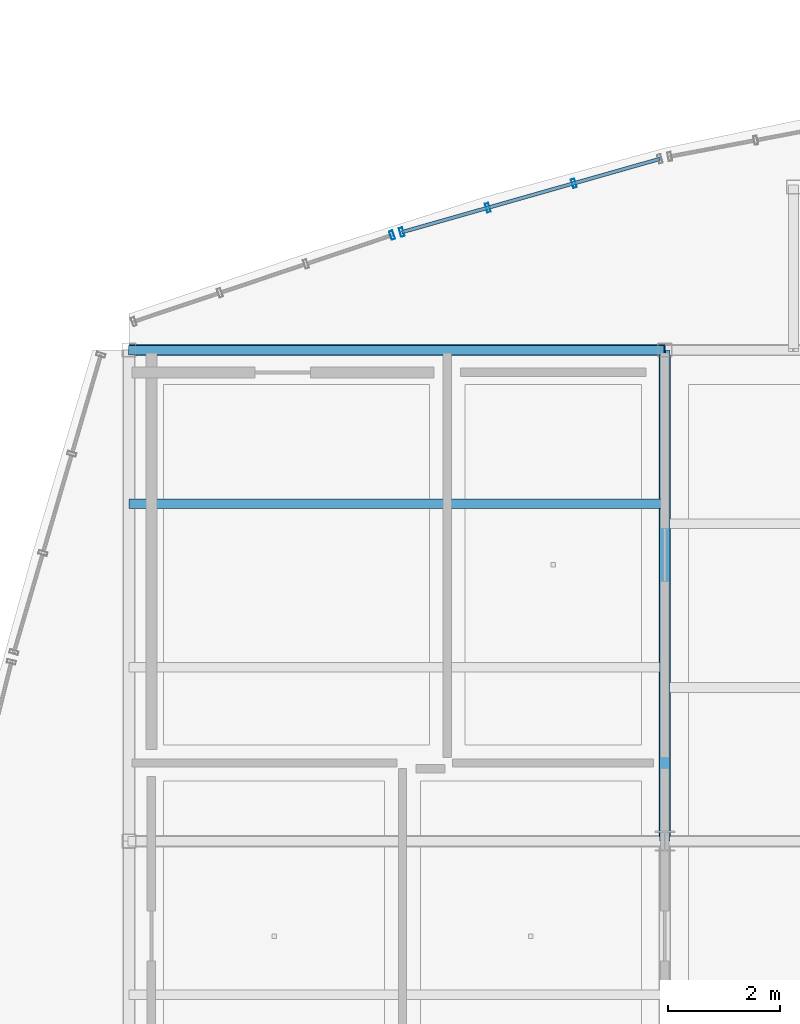
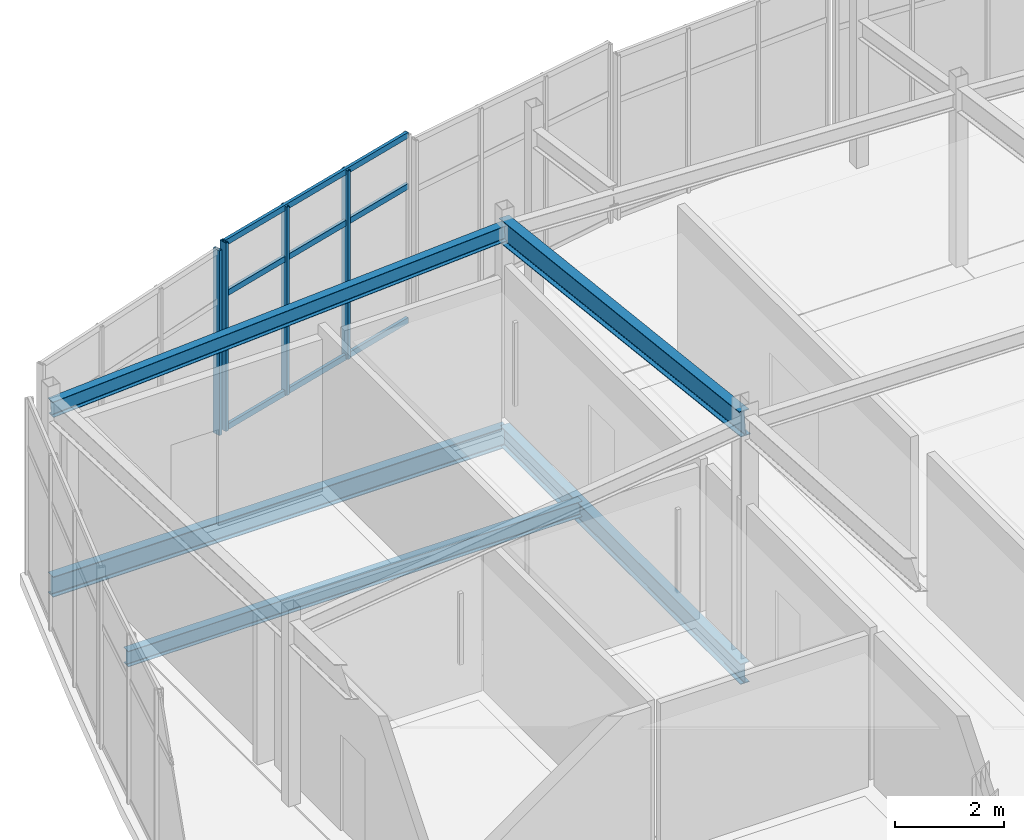
# One storey, part 30 of 114: 8 members, 4 beams, 2 elements without a shape of their own.
"""IFC4 building model written with IfcOpenShell, lengths in metres."""

from ifc_helpers import new_model, si_unit, direction, frame, origin, origin_2d, place, context, subcontext, project, spatial, hollow_rectangle, i_section, extrude, material, layer, layer_set, material_profile, profile_set, type_object, element, aggregate, save


model = new_model("IFC4")

# Units and contexts
model_context = context("Model", 3, precision=1e-05, world=origin(), true_north=direction((0.0, 1.0)))
body_context = subcontext(model_context, "Body", "Model", "MODEL_VIEW")
ifc_project = project(units=[si_unit("LENGTHUNIT", "METRE"), si_unit("AREAUNIT", "SQUARE_METRE"), si_unit("VOLUMEUNIT", "CUBIC_METRE"), si_unit("PLANEANGLEUNIT", "RADIAN"), si_unit("MASSUNIT", "GRAM", prefix="KILO")], contexts=[model_context])

# Site, building, storey
site_placement = place(None, origin())
site = spatial("IfcSite", under=ifc_project, at=site_placement, CompositionType="ELEMENT")
building_placement = place(site_placement, origin())
building = spatial("IfcBuilding", under=site, at=building_placement, Name="Chalmorin Arch Market", CompositionType="ELEMENT")
storey_placement = place(building_placement, frame((0.0, 0.0, 9.60009765625)))
storey = spatial("IfcBuildingStorey", under=building, at=storey_placement, Name="L02", CompositionType="ELEMENT", Elevation=9.60009765625)

# Curtain wall, member
ifc_material_1 = material(Name="Aluminium 6063-T6", Category="aluminium")
ifc_layer_1 = layer(ifc_material_1, 0.159912109375)
ifc_layer_set_1 = layer_set([ifc_layer_1], Name="Aluminium 6063-T6")
curtain_wall_type_1 = type_object("IfcCurtainWallType", Name="RiverfrontStorefrontCurtainWall-CW2-4880x4130", PredefinedType="NOTDEFINED", material=ifc_layer_set_1)
curtain_wall_1_placement = place(storey_placement, origin())
curtain_wall_1 = element("IfcCurtainWall", 1, at=curtain_wall_1_placement, inside=storey, type_object=curtain_wall_type_1, Name="CW-02-071", PredefinedType="NOTDEFINED")
ifc_material_profile_1 = material_profile(ifc_material_1, hollow_rectangle(XDim=0.06494140625, YDim=0.159912109375, WallThickness=0.00390625, at=origin_2d()), Name="ALU65X160X4")
ifc_profile_set_1 = profile_set([ifc_material_profile_1], Name="Aluminium 6063-T6")
member_type_1 = type_object("IfcMemberType", Name="CurtainWallMullion-65x160", PredefinedType="MULLION", material=ifc_profile_set_1)
member_1_placement = place(storey_placement, frame((4.714599609375, 52.058349609375, 0.0), z_axis=(0.0, 0.0, 1.0), x_axis=(0.945518575599, 0.325568154457, 0.0)))
member_1 = element("IfcMember", 2, at=member_1_placement, type_object=member_type_1, Name="ML-071-04", PredefinedType="MULLION", context=body_context, shape_type="SweptSolid", body=[
    extrude(hollow_rectangle(XDim=0.06494140625, YDim=0.159912109375, WallThickness=0.00390625, at=origin_2d()), origin(), (0.0, 0.0, 1.0), 4.1318359375),
])
aggregate(curtain_wall_1, [member_1])

# Curtain wall, members
ifc_layer_2 = layer(ifc_material_1, 0.159912109375)
ifc_layer_set_2 = layer_set([ifc_layer_2], Name="Aluminium 6063-T6")
curtain_wall_type_2 = type_object("IfcCurtainWallType", Name="RiverfrontStorefrontCurtainWall-CW2-4810x4210", PredefinedType="NOTDEFINED", material=ifc_layer_set_2)
curtain_wall_2_placement = place(storey_placement, origin())
curtain_wall_2 = element("IfcCurtainWall", 3, at=curtain_wall_2_placement, inside=storey, type_object=curtain_wall_type_2, Name="CW-02-074", PredefinedType="NOTDEFINED")
member_2_placement = place(storey_placement, frame((4.88671875, 52.111572265625, 0.0), z_axis=(0.0, 0.0, 1.0), x_axis=(0.961261695938, 0.275637355817, 0.0)))
member_2 = element("IfcMember", 4, at=member_2_placement, type_object=member_type_1, Name="ML-074-01", PredefinedType="MULLION", context=body_context, shape_type="SweptSolid", body=[
    extrude(hollow_rectangle(XDim=0.06494140625, YDim=0.159912109375, WallThickness=0.00390625, at=origin_2d()), origin(), (0.0, 0.0, 1.0), 4.212890625),
])
member_3_placement = place(storey_placement, frame((6.428955078125, 52.549560546875, 0.0), z_axis=(0.0, 0.0, 1.0), x_axis=(0.961261695938, 0.275637355817, 0.0)))
member_3 = element("IfcMember", 5, at=member_3_placement, type_object=member_type_1, Name="ML-074-02", PredefinedType="MULLION", context=body_context, shape_type="SweptSolid", body=[
    extrude(hollow_rectangle(XDim=0.06494140625, YDim=0.159912109375, WallThickness=0.00390625, at=origin_2d()), origin(), (0.0, 0.0, 1.0), 4.212890625),
])
member_4_placement = place(storey_placement, frame((7.97119140625, 52.987548828125, 0.0), z_axis=(0.0, 0.0, 1.0), x_axis=(0.961261695938, 0.275637355817, 0.0)))
member_4 = element("IfcMember", 6, at=member_4_placement, type_object=member_type_1, Name="ML-074-03", PredefinedType="MULLION", context=body_context, shape_type="SweptSolid", body=[
    extrude(hollow_rectangle(XDim=0.06494140625, YDim=0.159912109375, WallThickness=0.00390625, at=origin_2d()), origin(), (0.0, 0.0, 1.0), 4.212890625),
])
ifc_material_profile_2 = material_profile(ifc_material_1, hollow_rectangle(XDim=0.06494140625, YDim=0.1298828125, WallThickness=0.00390625, at=origin_2d()), Name="ALU65X130X4")
ifc_profile_set_2 = profile_set([ifc_material_profile_2], Name="Aluminium 6063-T6")
member_type_2 = type_object("IfcMemberType", Name="CurtainWallTransom-65x130", PredefinedType="USERDEFINED", material=ifc_profile_set_2)
member_5_placement = place(storey_placement, frame((4.88671875, 52.111572265625, 0.034912109375), z_axis=(0.96197280209, 0.273145250807, 0.0), x_axis=(-0.273145250807, 0.96197280209, 0.0)))
member_5 = element("IfcMember", 7, at=member_5_placement, type_object=member_type_2, Name="TR-074-01", ObjectType="TRANSOM", PredefinedType="USERDEFINED", context=body_context, shape_type="SweptSolid", body=[
    extrude(hollow_rectangle(XDim=0.06494140625, YDim=0.1298828125, WallThickness=0.00390625, at=origin_2d()), origin(), (0.0, 0.0, 1.0), 4.8095703125),
])
member_6_placement = place(storey_placement, frame((4.88671875, 52.111572265625, 3.033203125), z_axis=(0.96197280209, 0.273145250807, 0.0), x_axis=(-0.273145250807, 0.96197280209, 0.0)))
member_6 = element("IfcMember", 8, at=member_6_placement, type_object=member_type_2, Name="TR-074-02", ObjectType="TRANSOM", PredefinedType="USERDEFINED", context=body_context, shape_type="SweptSolid", body=[
    extrude(hollow_rectangle(XDim=0.06494140625, YDim=0.1298828125, WallThickness=0.00390625, at=origin_2d()), origin(), (0.0, 0.0, 1.0), 4.8095703125),
])
member_7_placement = place(storey_placement, frame((4.88671875, 52.111572265625, 4.177978515625), z_axis=(0.96197280209, 0.273145250807, 0.0), x_axis=(-0.273145250807, 0.96197280209, 0.0)))
member_7 = element("IfcMember", 9, at=member_7_placement, type_object=member_type_2, Name="TR-074-03", ObjectType="TRANSOM", PredefinedType="USERDEFINED", context=body_context, shape_type="SweptSolid", body=[
    extrude(hollow_rectangle(XDim=0.06494140625, YDim=0.1298828125, WallThickness=0.00390625, at=origin_2d()), origin(), (0.0, 0.0, 1.0), 4.8095703125),
])
aggregate(curtain_wall_2, [member_2, member_3, member_4, member_5, member_6, member_7])

# Beams
ifc_material_2 = material(Name="Steel A992 Grade 50", Category="steel")
ifc_material_profile_3 = material_profile(ifc_material_2, i_section(OverallWidth=0.19091796875, OverallDepth=0.45703125, WebThickness=0.009033203125, FlangeThickness=0.014404296875, FilletRadius=0.02001953125, at=origin_2d()), Name="W18X50")
ifc_profile_set_3 = profile_set([ifc_material_profile_3], Name="Steel A992 Grade 50")
beam_type_1 = type_object("IfcBeamType", Name="FloorSteelBeam-W18X50", PredefinedType="BEAM", material=ifc_profile_set_3)
beam_1_placement = place(storey_placement, frame((9.60009765625, 41.199951171875, -0.480712890625), z_axis=(0.0, 1.0, 0.0), x_axis=(-1.0, 0.0, 0.0)))
element("IfcBeam", 10, at=beam_1_placement, inside=storey, type_object=beam_type_1, Name="BM-W18B-1149", PredefinedType="BEAM", context=body_context, shape_type="SweptSolid", body=[
    extrude(i_section(OverallWidth=0.19091796875, OverallDepth=0.45703125, WebThickness=0.009033203125, FlangeThickness=0.014404296875, FilletRadius=0.02001953125, at=origin_2d()), origin(), (0.0, 0.0, 1.0), 8.800048828125),
])
ifc_material_profile_4 = material_profile(ifc_material_2, i_section(OverallWidth=0.19091796875, OverallDepth=0.45703125, WebThickness=0.009033203125, FlangeThickness=0.014404296875, FilletRadius=0.02001953125, at=origin_2d()), Name="W18X50")
ifc_profile_set_4 = profile_set([ifc_material_profile_4], Name="Steel A992 Grade 50")
beam_type_2 = type_object("IfcBeamType", Name="PerimeterSpandrelBeam-W18X50", PredefinedType="SPANDREL", material=ifc_profile_set_4)
beam_2_placement = place(storey_placement, frame((0.0, 50.0, -0.480712890625), z_axis=(1.0, 0.0, 0.0), x_axis=(0.0, 1.0, 0.0)))
element("IfcBeam", 11, at=beam_2_placement, inside=storey, type_object=beam_type_2, Name="SP-W18-1147", PredefinedType="SPANDREL", context=body_context, shape_type="SweptSolid", body=[
    extrude(i_section(OverallWidth=0.19091796875, OverallDepth=0.45703125, WebThickness=0.009033203125, FlangeThickness=0.014404296875, FilletRadius=0.02001953125, at=origin_2d()), origin(), (0.0, 0.0, 1.0), 9.60009765625),
])
ifc_material_profile_5 = material_profile(ifc_material_2, i_section(OverallWidth=0.208984375, OverallDepth=0.532958984375, WebThickness=0.01025390625, FlangeThickness=0.015625, FilletRadius=0.02197265625, at=origin_2d()), Name="W21X62")
ifc_profile_set_5 = profile_set([ifc_material_profile_5], Name="Steel A992 Grade 50")
beam_type_3 = type_object("IfcBeamType", Name="PrimarySteelGirder-W21X62", PredefinedType="BEAM", material=ifc_profile_set_5)
beam_3_placement = place(storey_placement, frame((9.60009765625, 41.199951171875, 5.10791015625), z_axis=(0.0, 0.993605325074, -0.112909069538), x_axis=(-1.0, 0.0, 0.0)))
element("IfcBeam", 12, at=beam_3_placement, inside=storey, type_object=beam_type_3, Name="BG-W21B-1532", PredefinedType="BEAM", context=body_context, shape_type="SweptSolid", body=[
    extrude(i_section(OverallWidth=0.208984375, OverallDepth=0.532958984375, WebThickness=0.01025390625, FlangeThickness=0.015625, FilletRadius=0.02197265625, at=origin_2d()), origin(), (0.0, 0.0, 1.0), 8.856689453125),
])

# Member
ifc_material_profile_6 = material_profile(ifc_material_2, i_section(OverallWidth=0.1708984375, OverallDepth=0.35107421875, WebThickness=0.0068359375, FlangeThickness=0.009765625, FilletRadius=0.014892578125, at=origin_2d()), Name="W14X30")
ifc_profile_set_6 = profile_set([ifc_material_profile_6], Name="Steel A992 Grade 50")
member_type_3 = type_object("IfcMemberType", Name="RoofSteelPurlin-W14X30", PredefinedType="PURLIN", material=ifc_profile_set_6)
member_8_placement = place(storey_placement, frame((0.0, 50.0, 3.474853515625), z_axis=(0.998097550558, 0.0, 0.061654517835), x_axis=(0.0, 1.0, 0.0)))
element("IfcMember", 13, at=member_8_placement, inside=storey, type_object=member_type_3, Name="PR-W14-0032", PredefinedType="PURLIN", context=body_context, shape_type="SweptSolid", body=[
    extrude(i_section(OverallWidth=0.1708984375, OverallDepth=0.35107421875, WebThickness=0.0068359375, FlangeThickness=0.009765625, FilletRadius=0.014892578125, at=origin_2d()), origin(), (0.0, 0.0, 1.0), 9.618408203125),
])

# Beam
ifc_material_profile_7 = material_profile(ifc_material_2, i_section(OverallWidth=0.1708984375, OverallDepth=0.35107421875, WebThickness=0.0068359375, FlangeThickness=0.009765625, FilletRadius=0.014892578125, at=origin_2d()), Name="W14X30")
ifc_profile_set_7 = profile_set([ifc_material_profile_7], Name="Steel A992 Grade 50")
beam_type_4 = type_object("IfcBeamType", Name="SecondaryFloorJoist-W14X30", PredefinedType="JOIST", material=ifc_profile_set_7)
beam_4_placement = place(storey_placement, frame((0.0, 47.24658203125, -0.427490234375), z_axis=(1.0, 0.0, 0.0), x_axis=(0.0, 1.0, 0.0)))
element("IfcBeam", 14, at=beam_4_placement, inside=storey, type_object=beam_type_4, Name="BJ-W14-1190", PredefinedType="JOIST", context=body_context, shape_type="SweptSolid", body=[
    extrude(i_section(OverallWidth=0.1708984375, OverallDepth=0.35107421875, WebThickness=0.0068359375, FlangeThickness=0.009765625, FilletRadius=0.014892578125, at=origin_2d()), origin(), (0.0, 0.0, 1.0), 9.60009765625),
])

save(model, "model.ifc")
